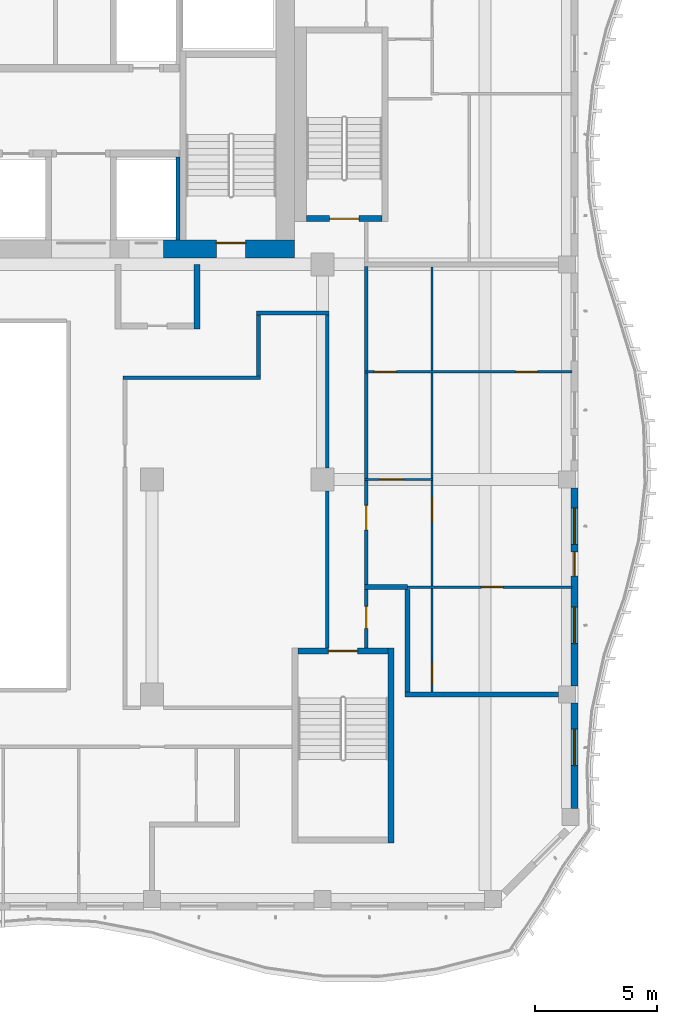
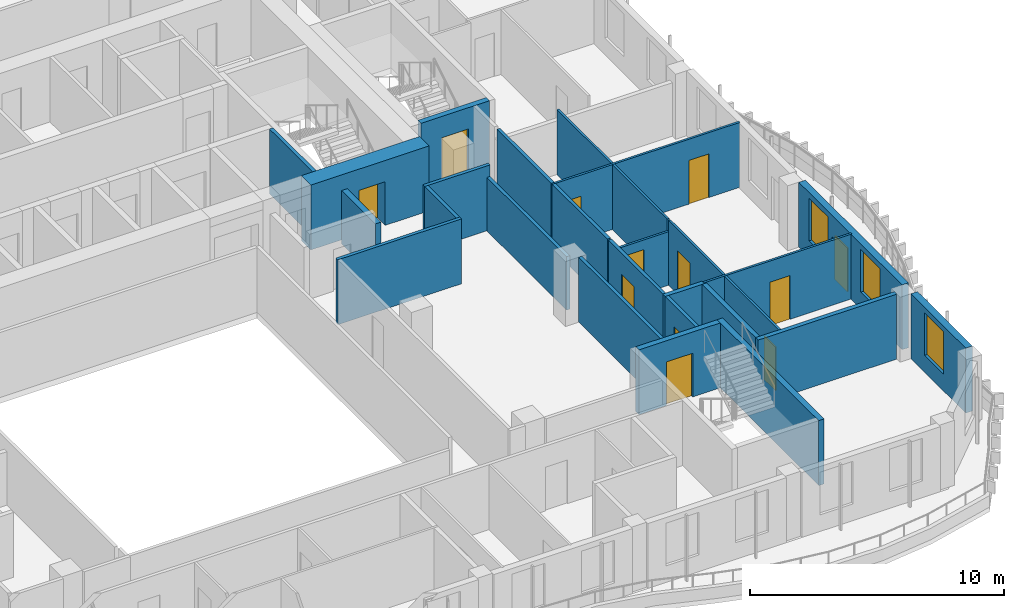
# One storey, part 5 of 19: 27 walls, 12 doors, 3 windows, 15 openings.
"""IFC4 building model written with IfcOpenShell, lengths in metres."""

from ifc_helpers import new_model, si_unit, direction, frame, frame_2d, origin, place, context, subcontext, project, spatial, rectangle, extrude, source, transform, mapped, material, layer, layer_set, type_object, element, fill, save


model = new_model("IFC4")

# Units and contexts
model_context = context("Model", 3, precision=1e-05, world=origin(), true_north=direction((0.0, 1.0)))
body_context = subcontext(model_context, "Body", "Model", "MODEL_VIEW")
ifc_project = project(units=[si_unit("LENGTHUNIT", "METRE"), si_unit("AREAUNIT", "SQUARE_METRE"), si_unit("VOLUMEUNIT", "CUBIC_METRE"), si_unit("PLANEANGLEUNIT", "RADIAN"), si_unit("MASSUNIT", "GRAM", prefix="KILO")], contexts=[model_context])

# Site, building, storey
site_placement = place(None, origin())
site = spatial("IfcSite", under=ifc_project, at=site_placement, CompositionType="ELEMENT")
building_placement = place(site_placement, origin())
building = spatial("IfcBuilding", under=site, at=building_placement, Name="Kilnfold Tower and Market Hall", CompositionType="ELEMENT")
storey_placement = place(building_placement, frame((0.0, 0.0, 242.39990234375)))
storey = spatial("IfcBuildingStorey", under=building, at=storey_placement, Name="L58", CompositionType="ELEMENT", Elevation=242.39990234375)

# Wall, opening, door
ifc_material_1 = material(Name="Gypsum board on steel studs", Category="steel")
ifc_layer_1 = layer(ifc_material_1, 0.14990234375)
ifc_layer_set_1 = layer_set([ifc_layer_1], Name="Gypsum board on steel studs")
wall_type_1 = type_object("IfcWallType", Name="WALL CORRIDOR 150", PredefinedType="PARTITIONING", material=ifc_layer_set_1)
wall_1_placement = place(storey_placement, frame((20.800048828125, -7.75, 0.0), z_axis=(0.0, 0.0, 1.0), x_axis=(0.0, 1.0, 0.0)))
wall_1 = element("IfcWall", 1, at=wall_1_placement, inside=storey, type_object=wall_type_1, Name="Partition LY35.12", PredefinedType="PARTITIONING", context=body_context, shape_type="SweptSolid", body=[
    extrude(rectangle(XDim=2.409912109375, YDim=0.14990234375, at=frame_2d((1.205078125, 0.0))), origin(), (0.0, 0.0, 1.0), 3.1201171875),
])
opening_1_placement = place(wall_1_placement, frame((0.804931640625, 0.0, 0.0)))
opening_1 = element("IfcOpeningElement", 2, at=opening_1_placement, cuts=wall_1, Name="Opening D2", PredefinedType="OPENING", context=body_context, shape_type="SweptSolid", body=[
    extrude(rectangle(XDim=0.89990234375, YDim=2.10009765625, at=frame_2d((0.449951171875, 1.050048828125))), frame((0.0, 0.0849609375, 0.0), z_axis=(0.0, -1.0, 0.0), x_axis=(1.0, 0.0, 0.0)), (0.0, 0.0, 1.0), 0.169921875),
])
ifc_material_2 = material(Name="Timber veneer door leaf in steel frame", Category="steel")
door_type_1 = type_object("IfcDoorType", Name="DOOR ROOM 900 X2100", OperationType="NOTDEFINED", PredefinedType="DOOR", material=ifc_material_2)
door_1_placement = place(opening_1_placement, origin())
door_1 = element("IfcDoor", 3, at=door_1_placement, inside=storey, type_object=door_type_1, Name="Door D2", OperationType="SINGLE_SWING_LEFT", OverallHeight=2.10009765625, OverallWidth=0.89990234375, PredefinedType="DOOR", context=body_context, shape_type="SweptSolid", body=[
    extrude(rectangle(XDim=0.89990234375, YDim=2.10009765625, at=frame_2d((0.449951171875, 1.050048828125))), frame((0.0, 0.02490234375, 0.0), z_axis=(0.0, -1.0, 0.0), x_axis=(1.0, 0.0, 0.0)), (0.0, 0.0, 1.0), 0.050048828125),
])
fill(opening_1, door_1)

wall_2_placement = place(storey_placement, frame((20.800048828125, -5.159912109375, 0.0), z_axis=(0.0, 0.0, 1.0), x_axis=(0.0, 1.0, 0.0)))
wall_2 = element("IfcWall", 4, at=wall_2_placement, inside=storey, type_object=wall_type_1, Name="Partition LY35.13", PredefinedType="PARTITIONING", context=body_context, shape_type="SweptSolid", body=[
    extrude(rectangle(XDim=4.286865234375, YDim=0.14990234375, at=frame_2d((2.1435546875, 0.0))), origin(), (0.0, 0.0, 1.0), 3.1201171875),
])
opening_2_placement = place(wall_2_placement, frame((2.261962890625, 0.0, 0.0)))
opening_2 = element("IfcOpeningElement", 5, at=opening_2_placement, cuts=wall_2, Name="Opening D1", PredefinedType="OPENING", context=body_context, shape_type="SweptSolid", body=[
    extrude(rectangle(XDim=1.0, YDim=2.10009765625, at=frame_2d((0.5, 1.050048828125))), frame((0.0, 0.0849609375, 0.0), z_axis=(0.0, -1.0, 0.0), x_axis=(1.0, 0.0, 0.0)), (0.0, 0.0, 1.0), 0.169921875),
])
ifc_material_3 = material(Name="Timber veneer door leaf in steel frame", Category="steel")
door_type_2 = type_object("IfcDoorType", Name="DOOR ENTRY 1000 X2100", OperationType="NOTDEFINED", PredefinedType="DOOR", material=ifc_material_3)
door_2_placement = place(opening_2_placement, origin())
door_2 = element("IfcDoor", 6, at=door_2_placement, inside=storey, type_object=door_type_2, Name="Door D1", OperationType="SINGLE_SWING_LEFT", OverallHeight=2.10009765625, OverallWidth=1.0, PredefinedType="DOOR", context=body_context, shape_type="SweptSolid", body=[
    extrude(rectangle(XDim=1.0, YDim=2.10009765625, at=frame_2d((0.5, 1.050048828125))), frame((0.0, 0.02490234375, 0.0), z_axis=(0.0, -1.0, 0.0), x_axis=(1.0, 0.0, 0.0)), (0.0, 0.0, 1.0), 0.050048828125),
])
fill(opening_2, door_2)

# Walls
wall_3_placement = place(storey_placement, frame((20.800048828125, -0.79296875, 0.0), z_axis=(0.0, 0.0, 1.0), x_axis=(0.0, 1.0, 0.0)))
element("IfcWall", 7, at=wall_3_placement, inside=storey, type_object=wall_type_1, Name="Partition LY35.14", PredefinedType="PARTITIONING", context=body_context, shape_type="SweptSolid", body=[
    extrude(rectangle(XDim=4.3359375, YDim=0.14990234375, at=frame_2d((2.16796875, 0.0))), origin(), (0.0, 0.0, 1.0), 3.1201171875),
])
wall_4_placement = place(storey_placement, frame((20.800048828125, 3.623046875, 0.0), z_axis=(0.0, 0.0, 1.0), x_axis=(0.0, 1.0, 0.0)))
element("IfcWall", 8, at=wall_4_placement, inside=storey, type_object=wall_type_1, Name="Partition LY35.15", PredefinedType="PARTITIONING", context=body_context, shape_type="SweptSolid", body=[
    extrude(rectangle(XDim=4.286865234375, YDim=0.14990234375, at=frame_2d((2.1435546875, 0.0))), origin(), (0.0, 0.0, 1.0), 3.1201171875),
])
wall_5_placement = place(storey_placement, frame((19.199951171875, -7.75, 0.0), z_axis=(0.0, 0.0, 1.0), x_axis=(0.0, 1.0, 0.0)))
element("IfcWall", 9, at=wall_5_placement, inside=storey, type_object=wall_type_1, Name="Partition LY35.40", PredefinedType="PARTITIONING", context=body_context, shape_type="SweptSolid", body=[
    extrude(rectangle(XDim=6.44189453125, YDim=0.14990234375, at=frame_2d((3.220947265625, 0.0))), origin(), (0.0, 0.0, 1.0), 3.1201171875),
])
wall_6_placement = place(storey_placement, frame((19.199951171875, -0.35791015625, 0.0), z_axis=(0.0, 0.0, 1.0), x_axis=(0.0, 1.0, 0.0)))
element("IfcWall", 10, at=wall_6_placement, inside=storey, type_object=wall_type_1, Name="Partition LY35.41", PredefinedType="PARTITIONING", context=body_context, shape_type="SweptSolid", body=[
    extrude(rectangle(XDim=6.282958984375, YDim=0.14990234375, at=frame_2d((3.1416015625, 0.0))), origin(), (0.0, 0.0, 1.0), 2.570068359375),
])
wall_7_placement = place(storey_placement, frame((16.304931640625, 6.0, 0.0), z_axis=(0.0, 0.0, 1.0), x_axis=(1.0, 0.0, 0.0)))
element("IfcWall", 11, at=wall_7_placement, inside=storey, type_object=wall_type_1, Name="Partition LY35.42", PredefinedType="PARTITIONING", context=body_context, shape_type="SweptSolid", body=[
    extrude(rectangle(XDim=2.969970703125, YDim=0.14990234375, at=frame_2d((1.48486328125, 0.0))), origin(), (0.0, 0.0, 1.0), 3.1201171875),
])
wall_8_placement = place(storey_placement, frame((16.3798828125, 3.425048828125, 0.0), z_axis=(0.0, 0.0, 1.0), x_axis=(0.0, 1.0, 0.0)))
element("IfcWall", 12, at=wall_8_placement, inside=storey, type_object=wall_type_1, Name="Partition LY35.43", PredefinedType="PARTITIONING", context=body_context, shape_type="SweptSolid", body=[
    extrude(rectangle(XDim=2.5, YDim=0.14990234375, at=frame_2d((1.25, 0.0))), origin(), (0.0, 0.0, 1.0), 3.1201171875),
])
wall_9_placement = place(storey_placement, frame((10.824951171875, 3.35009765625, 0.0), z_axis=(0.0, 0.0, 1.0), x_axis=(1.0, 0.0, 0.0)))
element("IfcWall", 13, at=wall_9_placement, inside=storey, type_object=wall_type_1, Name="Partition LY35.44", PredefinedType="PARTITIONING", context=body_context, shape_type="SweptSolid", body=[
    extrude(rectangle(XDim=5.630126953125, YDim=0.14990234375, at=frame_2d((2.81494140625, 0.0))), origin(), (0.0, 0.0, 1.0), 3.1201171875),
])

# Wall, opening, door
ifc_material_4 = material(Name="Gypsum board on steel studs", Category="steel")
ifc_layer_2 = layer(ifc_material_4, 0.10009765625)
ifc_layer_set_2 = layer_set([ifc_layer_2], Name="Gypsum board on steel studs")
wall_type_2 = type_object("IfcWallType", Name="WALL PARTITION 100", PredefinedType="PARTITIONING", material=ifc_layer_set_2)
wall_10_placement = place(storey_placement, frame((22.5, -5.25, 0.0), z_axis=(0.0, 0.0, 1.0), x_axis=(1.0, 0.0, 0.0)))
wall_10 = element("IfcWall", 14, at=wall_10_placement, inside=storey, type_object=wall_type_2, Name="Partition LY35.72", PredefinedType="PARTITIONING", context=body_context, shape_type="SweptSolid", body=[
    extrude(rectangle(XDim=6.75, YDim=0.10009765625, at=frame_2d((3.375, 0.0))), origin(), (0.0, 0.0, 1.0), 3.1201171875),
])
opening_3_placement = place(wall_10_placement, frame((3.02197265625, 0.0, 0.0)))
opening_3 = element("IfcOpeningElement", 15, at=opening_3_placement, cuts=wall_10, Name="Opening D2", PredefinedType="OPENING", context=body_context, shape_type="SweptSolid", body=[
    extrude(rectangle(XDim=0.89990234375, YDim=2.10009765625, at=frame_2d((0.449951171875, 1.050048828125))), frame((0.0, 0.06005859375, 0.0), z_axis=(0.0, -1.0, 0.0), x_axis=(1.0, 0.0, 0.0)), (0.0, 0.0, 1.0), 0.1201171875),
])
door_3_placement = place(opening_3_placement, origin())
door_3 = element("IfcDoor", 16, at=door_3_placement, inside=storey, type_object=door_type_1, Name="Door D2", OperationType="SINGLE_SWING_RIGHT", OverallHeight=2.10009765625, OverallWidth=0.89990234375, PredefinedType="DOOR", context=body_context, shape_type="SweptSolid", body=[
    extrude(rectangle(XDim=0.89990234375, YDim=2.10009765625, at=frame_2d((0.449951171875, 1.050048828125))), frame((0.0, 0.02490234375, 0.0), z_axis=(0.0, -1.0, 0.0), x_axis=(1.0, 0.0, 0.0)), (0.0, 0.0, 1.0), 0.050048828125),
])
fill(opening_3, door_3)

wall_11_placement = place(storey_placement, frame((23.5, -9.56689453125, 0.0), z_axis=(0.0, 0.0, 1.0), x_axis=(0.0, 1.0, 0.0)))
wall_11 = element("IfcWall", 17, at=wall_11_placement, inside=storey, type_object=wall_type_2, Name="Partition LY35.73", PredefinedType="PARTITIONING", context=body_context, shape_type="SweptSolid", body=[
    extrude(rectangle(XDim=4.266845703125, YDim=0.10009765625, at=frame_2d((2.13330078125, 0.0))), origin(), (0.0, 0.0, 1.0), 3.1201171875),
])
opening_4_placement = place(wall_11_placement, frame((0.302001953125, 0.0, 0.0)))
opening_4 = element("IfcOpeningElement", 18, at=opening_4_placement, cuts=wall_11, Name="Opening D2", PredefinedType="OPENING", context=body_context, shape_type="SweptSolid", body=[
    extrude(rectangle(XDim=0.89990234375, YDim=2.10009765625, at=frame_2d((0.449951171875, 1.050048828125))), frame((0.0, 0.06005859375, 0.0), z_axis=(0.0, -1.0, 0.0), x_axis=(1.0, 0.0, 0.0)), (0.0, 0.0, 1.0), 0.1201171875),
])
door_4_placement = place(opening_4_placement, origin())
door_4 = element("IfcDoor", 19, at=door_4_placement, inside=storey, type_object=door_type_1, Name="Door D2", OperationType="SINGLE_SWING_RIGHT", OverallHeight=2.10009765625, OverallWidth=0.89990234375, PredefinedType="DOOR", context=body_context, shape_type="SweptSolid", body=[
    extrude(rectangle(XDim=0.89990234375, YDim=2.10009765625, at=frame_2d((0.449951171875, 1.050048828125))), frame((0.0, 0.02490234375, 0.0), z_axis=(0.0, -1.0, 0.0), x_axis=(1.0, 0.0, 0.0)), (0.0, 0.0, 1.0), 0.050048828125),
])
fill(opening_4, door_4)

wall_12_placement = place(storey_placement, frame((23.550048828125, -0.8330078125, 0.0), z_axis=(0.0, 0.0, 1.0), x_axis=(-1.0, 0.0, 0.0)))
wall_12 = element("IfcWall", 20, at=wall_12_placement, inside=storey, type_object=wall_type_2, Name="Partition LY35.74", PredefinedType="PARTITIONING", context=body_context, shape_type="SweptSolid", body=[
    extrude(rectangle(XDim=2.822998046875, YDim=0.10009765625, at=frame_2d((1.41162109375, 0.0))), origin(), (0.0, 0.0, 1.0), 2.570068359375),
])
opening_5_placement = place(wall_12_placement, frame((1.216064453125, 0.0, 0.0)))
opening_5 = element("IfcOpeningElement", 21, at=opening_5_placement, cuts=wall_12, Name="Opening D1", PredefinedType="OPENING", context=body_context, shape_type="SweptSolid", body=[
    extrude(rectangle(XDim=1.0, YDim=2.10009765625, at=frame_2d((0.5, 1.050048828125))), frame((0.0, 0.06005859375, 0.0), z_axis=(0.0, -1.0, 0.0), x_axis=(1.0, 0.0, 0.0)), (0.0, 0.0, 1.0), 0.1201171875),
])
door_5_placement = place(opening_5_placement, origin())
door_5 = element("IfcDoor", 22, at=door_5_placement, inside=storey, type_object=door_type_2, Name="Door D1", OperationType="SINGLE_SWING_LEFT", OverallHeight=2.10009765625, OverallWidth=1.0, PredefinedType="DOOR", context=body_context, shape_type="SweptSolid", body=[
    extrude(rectangle(XDim=1.0, YDim=2.10009765625, at=frame_2d((0.5, 1.050048828125))), frame((0.0, 0.02490234375, 0.0), z_axis=(0.0, -1.0, 0.0), x_axis=(1.0, 0.0, 0.0)), (0.0, 0.0, 1.0), 0.050048828125),
])
fill(opening_5, door_5)

wall_13_placement = place(storey_placement, frame((23.5, -5.199951171875, 0.0), z_axis=(0.0, 0.0, 1.0), x_axis=(0.0, 1.0, 0.0)))
wall_13 = element("IfcWall", 23, at=wall_13_placement, inside=storey, type_object=wall_type_2, Name="Partition LY35.75", PredefinedType="PARTITIONING", context=body_context, shape_type="SweptSolid", body=[
    extrude(rectangle(XDim=4.31689453125, YDim=0.10009765625, at=frame_2d((2.158447265625, 0.0))), origin(), (0.0, 0.0, 1.0), 3.1201171875),
])
opening_6_placement = place(wall_13_placement, frame((2.614013671875, 0.0, 0.0)))
opening_6 = element("IfcOpeningElement", 24, at=opening_6_placement, cuts=wall_13, Name="Opening D1", PredefinedType="OPENING", context=body_context, shape_type="SweptSolid", body=[
    extrude(rectangle(XDim=1.0, YDim=2.10009765625, at=frame_2d((0.5, 1.050048828125))), frame((0.0, 0.06005859375, 0.0), z_axis=(0.0, -1.0, 0.0), x_axis=(1.0, 0.0, 0.0)), (0.0, 0.0, 1.0), 0.1201171875),
])
door_6_placement = place(opening_6_placement, origin())
door_6 = element("IfcDoor", 25, at=door_6_placement, inside=storey, type_object=door_type_2, Name="Door D1", OperationType="SINGLE_SWING_LEFT", OverallHeight=2.10009765625, OverallWidth=1.0, PredefinedType="DOOR", context=body_context, shape_type="SweptSolid", body=[
    extrude(rectangle(XDim=1.0, YDim=2.10009765625, at=frame_2d((0.5, 1.050048828125))), frame((0.0, 0.02490234375, 0.0), z_axis=(0.0, -1.0, 0.0), x_axis=(1.0, 0.0, 0.0)), (0.0, 0.0, 1.0), 0.050048828125),
])
fill(opening_6, door_6)

# Wall, openings, doors
wall_14_placement = place(storey_placement, frame((20.72705078125, 3.5830078125, 0.0), z_axis=(0.0, 0.0, 1.0), x_axis=(1.0, 0.0, 0.0)))
wall_14 = element("IfcWall", 26, at=wall_14_placement, inside=storey, type_object=wall_type_2, Name="Partition LY35.76", PredefinedType="PARTITIONING", context=body_context, shape_type="SweptSolid", body=[
    extrude(rectangle(XDim=8.52294921875, YDim=0.10009765625, at=frame_2d((4.261474609375, 0.0))), origin(), (0.0, 0.0, 1.0), 3.1201171875),
])
opening_7_placement = place(wall_14_placement, frame((0.409912109375, 0.0, 0.0)))
opening_7 = element("IfcOpeningElement", 27, at=opening_7_placement, cuts=wall_14, Name="Opening D2", PredefinedType="OPENING", context=body_context, shape_type="SweptSolid", body=[
    extrude(rectangle(XDim=0.89990234375, YDim=2.10009765625, at=frame_2d((0.449951171875, 1.050048828125))), frame((0.0, 0.06005859375, 0.0), z_axis=(0.0, -1.0, 0.0), x_axis=(1.0, 0.0, 0.0)), (0.0, 0.0, 1.0), 0.1201171875),
])
opening_8_placement = place(wall_14_placement, frame((6.2099609375, 0.0, 0.0)))
opening_8 = element("IfcOpeningElement", 28, at=opening_8_placement, cuts=wall_14, Name="Opening D2", PredefinedType="OPENING", context=body_context, shape_type="SweptSolid", body=[
    extrude(rectangle(XDim=0.89990234375, YDim=2.10009765625, at=frame_2d((0.449951171875, 1.050048828125))), frame((0.0, 0.06005859375, 0.0), z_axis=(0.0, -1.0, 0.0), x_axis=(1.0, 0.0, 0.0)), (0.0, 0.0, 1.0), 0.1201171875),
])
door_7_placement = place(opening_7_placement, origin())
door_7 = element("IfcDoor", 29, at=door_7_placement, inside=storey, type_object=door_type_1, Name="Door D2", OperationType="SINGLE_SWING_LEFT", OverallHeight=2.10009765625, OverallWidth=0.89990234375, PredefinedType="DOOR", context=body_context, shape_type="SweptSolid", body=[
    extrude(rectangle(XDim=0.89990234375, YDim=2.10009765625, at=frame_2d((0.449951171875, 1.050048828125))), frame((0.0, 0.02490234375, 0.0), z_axis=(0.0, -1.0, 0.0), x_axis=(1.0, 0.0, 0.0)), (0.0, 0.0, 1.0), 0.050048828125),
])
fill(opening_7, door_7)
door_8_placement = place(opening_8_placement, origin())
door_8 = element("IfcDoor", 30, at=door_8_placement, inside=storey, type_object=door_type_1, Name="Door D2", OperationType="SINGLE_SWING_LEFT", OverallHeight=2.10009765625, OverallWidth=0.89990234375, PredefinedType="DOOR", context=body_context, shape_type="SweptSolid", body=[
    extrude(rectangle(XDim=0.89990234375, YDim=2.10009765625, at=frame_2d((0.449951171875, 1.050048828125))), frame((0.0, 0.02490234375, 0.0), z_axis=(0.0, -1.0, 0.0), x_axis=(1.0, 0.0, 0.0)), (0.0, 0.0, 1.0), 0.050048828125),
])
fill(opening_8, door_8)

# Walls
wall_15_placement = place(storey_placement, frame((23.5, -0.782958984375, 0.0), z_axis=(0.0, 0.0, 1.0), x_axis=(0.0, 1.0, 0.0)))
element("IfcWall", 31, at=wall_15_placement, inside=storey, type_object=wall_type_2, Name="Partition LY35.77", PredefinedType="PARTITIONING", context=body_context, shape_type="SweptSolid", body=[
    extrude(rectangle(XDim=4.31591796875, YDim=0.10009765625, at=frame_2d((2.157958984375, 0.0))), origin(), (0.0, 0.0, 1.0), 3.1201171875),
])
wall_16_placement = place(storey_placement, frame((23.5, 3.633056640625, 0.0), z_axis=(0.0, 0.0, 1.0), x_axis=(0.0, 1.0, 0.0)))
element("IfcWall", 32, at=wall_16_placement, inside=storey, type_object=wall_type_2, Name="Partition LY35.78", PredefinedType="PARTITIONING", context=body_context, shape_type="SweptSolid", body=[
    extrude(rectangle(XDim=4.266845703125, YDim=0.10009765625, at=frame_2d((2.13330078125, 0.0))), origin(), (0.0, 0.0, 1.0), 3.1201171875),
])
ifc_material_5 = material(Name="Gypsum board on steel studs", Category="steel")
ifc_layer_3 = layer(ifc_material_5, 0.199951171875)
ifc_layer_set_3 = layer_set([ifc_layer_3], Name="Gypsum board on steel studs")
wall_type_3 = type_object("IfcWallType", Name="WALL PARTY 200", PredefinedType="PARTITIONING", material=ifc_layer_set_3)
wall_17_placement = place(storey_placement, frame((22.5, -9.56689453125, 0.0), z_axis=(0.0, 0.0, 1.0), x_axis=(0.0, 1.0, 0.0)))
element("IfcWall", 33, at=wall_17_placement, inside=storey, type_object=wall_type_3, Name="Partition LY35.69", PredefinedType="PARTITIONING", context=body_context, shape_type="SweptSolid", body=[
    extrude(rectangle(XDim=4.216796875, YDim=0.199951171875, at=frame_2d((2.1083984375, 0.0))), origin(), (0.0, 0.0, 1.0), 3.1201171875),
])
wall_18_placement = place(storey_placement, frame((22.39990234375, -9.6669921875, 0.0), z_axis=(0.0, 0.0, 1.0), x_axis=(1.0, 0.0, 0.0)))
element("IfcWall", 34, at=wall_18_placement, inside=storey, type_object=wall_type_3, Name="Partition LY35.70", PredefinedType="PARTITIONING", context=body_context, shape_type="SweptSolid", body=[
    extrude(rectangle(XDim=6.300048828125, YDim=0.199951171875, at=frame_2d((3.14990234375, 0.0))), origin(), (0.0, 0.0, 1.0), 3.1201171875),
])
wall_19_placement = place(storey_placement, frame((20.72705078125, -5.25, 0.0), z_axis=(0.0, 0.0, 1.0), x_axis=(1.0, 0.0, 0.0)))
element("IfcWall", 35, at=wall_19_placement, inside=storey, type_object=wall_type_3, Name="Partition LY35.71", PredefinedType="PARTITIONING", context=body_context, shape_type="SweptSolid", body=[
    extrude(rectangle(XDim=1.77294921875, YDim=0.199951171875, at=frame_2d((0.886474609375, 0.0))), origin(), (0.0, 0.0, 1.0), 3.1201171875),
])

# Wall, opening, door
ifc_material_6 = material(Name="Concrete C60", Category="concrete")
ifc_layer_4 = layer(ifc_material_6, 0.25)
ifc_layer_set_4 = layer_set([ifc_layer_4], Name="Concrete C60")
wall_type_4 = type_object("IfcWallType", Name="CORE WALL 250 C60", PredefinedType="SHEAR", material=ifc_layer_set_4)
shared_shape_1 = source(origin(), body_context, "Body", "SweptSolid", [
    extrude(rectangle(XDim=3.699951171875, YDim=0.25, at=frame_2d((1.85009765625, 0.0))), origin(), (0.0, 0.0, 1.0), 3.1201171875),
])
wall_20_placement = place(storey_placement, frame((18.0, -7.875, 0.0), z_axis=(0.0, 0.0, 1.0), x_axis=(1.0, 0.0, 0.0)))
wall_20 = element("IfcWall", 36, at=wall_20_placement, inside=storey, type_object=wall_type_4, Name="Stair enclosure ST4", PredefinedType="SHEAR", context=body_context, shape_type="MappedRepresentation", body=[
    mapped(shared_shape_1, transform((0.0, 0.0, 0.0))),
])
opening_9_placement = place(wall_20_placement, frame((1.25, 0.0, 0.0)))
opening_9 = element("IfcOpeningElement", 37, at=opening_9_placement, cuts=wall_20, Name="Opening SD1", PredefinedType="OPENING", context=body_context, shape_type="SweptSolid", body=[
    extrude(rectangle(XDim=1.199951171875, YDim=2.10009765625, at=frame_2d((0.60009765625, 1.050048828125))), frame((0.0, 0.135009765625, 0.0), z_axis=(0.0, -1.0, 0.0), x_axis=(1.0, 0.0, 0.0)), (0.0, 0.0, 1.0), 0.27001953125),
])
ifc_material_7 = material(Name="Steel door set with fire-resisting leaf", Category="steel")
door_type_3 = type_object("IfcDoorType", Name="STAIR FLOOR DOOR 1200X2100", OperationType="NOTDEFINED", PredefinedType="DOOR", material=ifc_material_7)
door_9_placement = place(opening_9_placement, origin())
door_9 = element("IfcDoor", 38, at=door_9_placement, inside=storey, type_object=door_type_3, Name="Exit stair ST4 door", OperationType="DOUBLE_DOOR_SINGLE_SWING", OverallHeight=2.10009765625, OverallWidth=1.199951171875, PredefinedType="DOOR", context=body_context, shape_type="SweptSolid", body=[
    extrude(rectangle(XDim=1.199951171875, YDim=2.10009765625, at=frame_2d((0.60009765625, 1.050048828125))), frame((0.0, 0.02490234375, 0.0), z_axis=(0.0, -1.0, 0.0), x_axis=(1.0, 0.0, 0.0)), (0.0, 0.0, 1.0), 0.050048828125),
])
fill(opening_9, door_9)

# Wall
shared_shape_2 = source(origin(), body_context, "Body", "SweptSolid", [
    extrude(rectangle(XDim=8.0, YDim=0.25, at=frame_2d((4.0, 0.0))), origin(), (0.0, 0.0, 1.0), 3.1201171875),
])
wall_21_placement = place(storey_placement, frame((21.824951171875, -15.75, 0.0), z_axis=(0.0, 0.0, 1.0), x_axis=(0.0, 1.0, 0.0)))
element("IfcWall", 39, at=wall_21_placement, inside=storey, type_object=wall_type_4, Name="Stair enclosure ST4", PredefinedType="SHEAR", context=body_context, shape_type="MappedRepresentation", body=[
    mapped(shared_shape_2, transform((0.0, 0.0, 0.0))),
])

# Wall, opening, door
shared_shape_3 = source(origin(), body_context, "Body", "SweptSolid", [
    extrude(rectangle(XDim=3.099853515625, YDim=0.25, at=frame_2d((1.5498046875, 0.0))), origin(), (0.0, 0.0, 1.0), 3.1201171875),
])
wall_22_placement = place(storey_placement, frame((18.35009765625, 9.875, 0.0), z_axis=(0.0, 0.0, 1.0), x_axis=(1.0, 0.0, 0.0)))
wall_22 = element("IfcWall", 40, at=wall_22_placement, inside=storey, type_object=wall_type_4, Name="Stair enclosure ST5", PredefinedType="SHEAR", context=body_context, shape_type="MappedRepresentation", body=[
    mapped(shared_shape_3, transform((0.0, 0.0, 0.0))),
])
opening_10_placement = place(wall_22_placement, frame((0.949951171875, 0.0, 0.0)))
opening_10 = element("IfcOpeningElement", 41, at=opening_10_placement, cuts=wall_22, Name="Opening SD1", PredefinedType="OPENING", context=body_context, shape_type="SweptSolid", body=[
    extrude(rectangle(XDim=1.199951171875, YDim=2.10009765625, at=frame_2d((0.60009765625, 1.050048828125))), frame((0.0, 0.135009765625, 0.0), z_axis=(0.0, -1.0, 0.0), x_axis=(1.0, 0.0, 0.0)), (0.0, 0.0, 1.0), 0.27001953125),
])
door_10_placement = place(opening_10_placement, origin())
door_10 = element("IfcDoor", 42, at=door_10_placement, inside=storey, type_object=door_type_3, Name="Exit stair ST5 door", OperationType="DOUBLE_DOOR_SINGLE_SWING", OverallHeight=2.10009765625, OverallWidth=1.199951171875, PredefinedType="DOOR", context=body_context, shape_type="SweptSolid", body=[
    extrude(rectangle(XDim=1.199951171875, YDim=2.10009765625, at=frame_2d((0.60009765625, 1.050048828125))), frame((0.0, 0.02490234375, 0.0), z_axis=(0.0, -1.0, 0.0), x_axis=(1.0, 0.0, 0.0)), (0.0, 0.0, 1.0), 0.050048828125),
])
fill(opening_10, door_10)

ifc_material_8 = material(Name="Concrete C60", Category="concrete")
ifc_layer_5 = layer(ifc_material_8, 0.75)
ifc_layer_set_5 = layer_set([ifc_layer_5], Name="Concrete C60")
wall_type_5 = type_object("IfcWallType", Name="CORE WALL 750 C60", PredefinedType="SHEAR", material=ifc_layer_set_5)
shared_shape_4 = source(origin(), body_context, "Body", "SweptSolid", [
    extrude(rectangle(XDim=5.380126953125, YDim=0.75, at=frame_2d((2.68994140625, 0.0))), origin(), (0.0, 0.0, 1.0), 3.1201171875),
])
wall_23_placement = place(storey_placement, frame((12.469970703125, 8.625, 0.0), z_axis=(0.0, 0.0, 1.0), x_axis=(1.0, 0.0, 0.0)))
wall_23 = element("IfcWall", 43, at=wall_23_placement, inside=storey, type_object=wall_type_5, Name="Core outer wall south", PredefinedType="SHEAR", context=body_context, shape_type="MappedRepresentation", body=[
    mapped(shared_shape_4, transform((0.0, 0.0, 0.0))),
])
opening_11_placement = place(wall_23_placement, frame((2.179931640625, 0.0, 0.0)))
opening_11 = element("IfcOpeningElement", 44, at=opening_11_placement, cuts=wall_23, Name="Opening SD1", PredefinedType="OPENING", context=body_context, shape_type="SweptSolid", body=[
    extrude(rectangle(XDim=1.199951171875, YDim=2.10009765625, at=frame_2d((0.60009765625, 1.050048828125))), frame((0.0, 0.385009765625, 0.0), z_axis=(0.0, -1.0, 0.0), x_axis=(1.0, 0.0, 0.0)), (0.0, 0.0, 1.0), 0.77001953125),
])
door_11_placement = place(opening_11_placement, origin())
door_11 = element("IfcDoor", 45, at=door_11_placement, inside=storey, type_object=door_type_3, Name="Exit stair ST2 door", OperationType="DOUBLE_DOOR_SINGLE_SWING", OverallHeight=2.10009765625, OverallWidth=1.199951171875, PredefinedType="DOOR", context=body_context, shape_type="SweptSolid", body=[
    extrude(rectangle(XDim=1.199951171875, YDim=2.10009765625, at=frame_2d((0.60009765625, 1.050048828125))), frame((0.0, 0.27978515625, 0.0), z_axis=(0.0, -1.0, 0.0), x_axis=(1.0, 0.0, 0.0)), (0.0, 0.0, 1.0), 0.050048828125),
])
fill(opening_11, door_11)

# Wall, opening, window
ifc_material_9 = material(Name="Precast concrete C50/60", Category="concrete")
ifc_layer_6 = layer(ifc_material_9, 0.300048828125)
ifc_layer_set_6 = layer_set([ifc_layer_6], Name="Precast concrete C50/60")
wall_type_6 = type_object("IfcWallType", Name="PRECAST WALL 300", PredefinedType="SOLIDWALL", material=ifc_layer_set_6)
shared_shape_5 = source(origin(), body_context, "Body", "SweptSolid", [
    extrude(rectangle(XDim=4.315185546875, YDim=0.300048828125, at=frame_2d((2.15771484375, 0.0))), origin(), (0.0, 0.0, 1.0), 3.1201171875),
])
wall_24_placement = place(storey_placement, frame((29.35009765625, -14.331787109375, 0.0), z_axis=(0.0, 0.0, 1.0), x_axis=(0.0, 1.0, 0.0)))
wall_24 = element("IfcWall", 46, at=wall_24_placement, inside=storey, type_object=wall_type_6, Name="External wall L58 E", PredefinedType="SOLIDWALL", context=body_context, shape_type="MappedRepresentation", body=[
    mapped(shared_shape_5, transform((0.0, 0.0, 0.0))),
])
opening_12_placement = place(wall_24_placement, frame((1.75, 0.0, 0.800048828125)))
opening_12 = element("IfcOpeningElement", 47, at=opening_12_placement, cuts=wall_24, Name="Opening W5", PredefinedType="OPENING", context=body_context, shape_type="SweptSolid", body=[
    extrude(rectangle(XDim=1.5, YDim=2.050048828125, at=frame_2d((0.75, 1.02490234375))), frame((0.0, 0.16015625, 0.0), z_axis=(0.0, -1.0, 0.0), x_axis=(1.0, 0.0, 0.0)), (0.0, 0.0, 1.0), 0.320068359375),
])
ifc_material_10 = material(Name="Aluminium frame and double glazing", Category="aluminium")
window_type = type_object("IfcWindowType", Name="WINDOW W5 1500X2050", PartitioningType="SINGLE_PANEL", PredefinedType="WINDOW", material=ifc_material_10)
window_1_placement = place(opening_12_placement, origin())
window_1 = element("IfcWindow", 48, at=window_1_placement, inside=storey, type_object=window_type, Name="Window W5 L58 E-1", OverallHeight=2.050048828125, OverallWidth=1.5, PartitioningType="SINGLE_PANEL", PredefinedType="WINDOW", context=body_context, shape_type="SweptSolid", body=[
    extrude(rectangle(XDim=1.5, YDim=2.050048828125, at=frame_2d((0.75, 1.02490234375))), frame((0.0, 0.030029296875, 0.0), z_axis=(0.0, -1.0, 0.0), x_axis=(1.0, 0.0, 0.0)), (0.0, 0.0, 1.0), 0.06005859375),
])
fill(opening_12, window_1)

# Wall, openings, door, windows
shared_shape_6 = source(origin(), body_context, "Body", "SweptSolid", [
    extrude(rectangle(XDim=8.13330078125, YDim=0.300048828125, at=frame_2d((4.066650390625, 0.0))), origin(), (0.0, 0.0, 1.0), 3.1201171875),
])
wall_25_placement = place(storey_placement, frame((29.35009765625, -9.316650390625, 0.0), z_axis=(0.0, 0.0, 1.0), x_axis=(0.0, 1.0, 0.0)))
wall_25 = element("IfcWall", 49, at=wall_25_placement, inside=storey, type_object=wall_type_6, Name="External wall L58 E", PredefinedType="SOLIDWALL", context=body_context, shape_type="MappedRepresentation", body=[
    mapped(shared_shape_6, transform((0.0, 0.0, 0.0))),
])
opening_13_placement = place(wall_25_placement, frame((1.75, 0.0, 0.800048828125)))
opening_13 = element("IfcOpeningElement", 50, at=opening_13_placement, cuts=wall_25, Name="Opening W5", PredefinedType="OPENING", context=body_context, shape_type="SweptSolid", body=[
    extrude(rectangle(XDim=1.5, YDim=2.050048828125, at=frame_2d((0.75, 1.02490234375))), frame((0.0, 0.16015625, 0.0), z_axis=(0.0, -1.0, 0.0), x_axis=(1.0, 0.0, 0.0)), (0.0, 0.0, 1.0), 0.320068359375),
])
opening_14_placement = place(wall_25_placement, frame((5.816650390625, 0.0, 0.800048828125)))
opening_14 = element("IfcOpeningElement", 51, at=opening_14_placement, cuts=wall_25, Name="Opening W5", PredefinedType="OPENING", context=body_context, shape_type="SweptSolid", body=[
    extrude(rectangle(XDim=1.5, YDim=2.050048828125, at=frame_2d((0.75, 1.02490234375))), frame((0.0, 0.16015625, 0.0), z_axis=(0.0, -1.0, 0.0), x_axis=(1.0, 0.0, 0.0)), (0.0, 0.0, 1.0), 0.320068359375),
])
opening_15_placement = place(wall_25_placement, frame((4.5166015625, 0.0, 0.0)))
opening_15 = element("IfcOpeningElement", 52, at=opening_15_placement, cuts=wall_25, Name="Opening BD1", PredefinedType="OPENING", context=body_context, shape_type="SweptSolid", body=[
    extrude(rectangle(XDim=1.0, YDim=2.10009765625, at=frame_2d((0.5, 1.050048828125))), frame((0.0, 0.16015625, 0.0), z_axis=(0.0, -1.0, 0.0), x_axis=(1.0, 0.0, 0.0)), (0.0, 0.0, 1.0), 0.320068359375),
])
ifc_material_11 = material(Name="Aluminium frame and double glazing", Category="aluminium")
door_type_4 = type_object("IfcDoorType", Name="BALCONY DOOR 1000X2100", OperationType="NOTDEFINED", PredefinedType="DOOR", material=ifc_material_11)
door_12_placement = place(opening_15_placement, origin())
door_12 = element("IfcDoor", 53, at=door_12_placement, inside=storey, type_object=door_type_4, Name="Balcony door BD1 L58 E-2", OperationType="SINGLE_SWING_RIGHT", OverallHeight=2.10009765625, OverallWidth=1.0, PredefinedType="DOOR", context=body_context, shape_type="SweptSolid", body=[
    extrude(rectangle(XDim=1.0, YDim=2.10009765625, at=frame_2d((0.5, 1.050048828125))), frame((0.0, 0.02490234375, 0.0), z_axis=(0.0, -1.0, 0.0), x_axis=(1.0, 0.0, 0.0)), (0.0, 0.0, 1.0), 0.050048828125),
])
fill(opening_15, door_12)
window_2_placement = place(opening_13_placement, origin())
window_2 = element("IfcWindow", 54, at=window_2_placement, inside=storey, type_object=window_type, Name="Window W5 L58 E-1", OverallHeight=2.050048828125, OverallWidth=1.5, PartitioningType="SINGLE_PANEL", PredefinedType="WINDOW", context=body_context, shape_type="SweptSolid", body=[
    extrude(rectangle(XDim=1.5, YDim=2.050048828125, at=frame_2d((0.75, 1.02490234375))), frame((0.0, 0.030029296875, 0.0), z_axis=(0.0, -1.0, 0.0), x_axis=(1.0, 0.0, 0.0)), (0.0, 0.0, 1.0), 0.06005859375),
])
fill(opening_13, window_2)
window_3_placement = place(opening_14_placement, origin())
window_3 = element("IfcWindow", 55, at=window_3_placement, inside=storey, type_object=window_type, Name="Window W5 L58 E-2", OverallHeight=2.050048828125, OverallWidth=1.5, PartitioningType="SINGLE_PANEL", PredefinedType="WINDOW", context=body_context, shape_type="SweptSolid", body=[
    extrude(rectangle(XDim=1.5, YDim=2.050048828125, at=frame_2d((0.75, 1.02490234375))), frame((0.0, 0.030029296875, 0.0), z_axis=(0.0, -1.0, 0.0), x_axis=(1.0, 0.0, 0.0)), (0.0, 0.0, 1.0), 0.06005859375),
])
fill(opening_14, window_3)

# Walls
ifc_material_12 = material(Name="Gypsum shaft wall system")
ifc_layer_7 = layer(ifc_material_12, 0.1650390625)
ifc_layer_set_7 = layer_set([ifc_layer_7], Name="Gypsum shaft wall system")
wall_type_7 = type_object("IfcWallType", Name="SHAFT WALL 165", PredefinedType="PARTITIONING", material=ifc_layer_set_7)
shared_shape_7 = source(origin(), body_context, "Body", "SweptSolid", [
    extrude(rectangle(XDim=3.39990234375, YDim=0.1650390625, at=frame_2d((1.699951171875, 0.0))), origin(), (0.0, 0.0, 1.0), 3.1201171875),
])
wall_26_placement = place(storey_placement, frame((13.0673828125, 9.0, 0.0), z_axis=(0.0, 0.0, 1.0), x_axis=(0.0, 1.0, 0.0)))
element("IfcWall", 56, at=wall_26_placement, inside=storey, type_object=wall_type_7, Name="Lift shaft wall", PredefinedType="PARTITIONING", context=body_context, shape_type="MappedRepresentation", body=[
    mapped(shared_shape_7, transform((0.0, 0.0, 0.0))),
])
ifc_material_13 = material(Name="Gypsum shaft wall system")
ifc_layer_8 = layer(ifc_material_13, 0.25)
ifc_layer_set_8 = layer_set([ifc_layer_8], Name="Gypsum shaft wall system")
wall_type_8 = type_object("IfcWallType", Name="LOBBY WALL 250", PredefinedType="PARTITIONING", material=ifc_layer_set_8)
shared_shape_8 = source(origin(), body_context, "Body", "SweptSolid", [
    extrude(rectangle(XDim=2.64990234375, YDim=0.25, at=frame_2d((1.324951171875, 0.0))), origin(), (0.0, 0.0, 1.0), 2.570068359375),
])
wall_27_placement = place(storey_placement, frame((13.85498046875, 5.35009765625, 0.0), z_axis=(0.0, 0.0, 1.0), x_axis=(0.0, 1.0, 0.0)))
element("IfcWall", 57, at=wall_27_placement, inside=storey, type_object=wall_type_8, Name="Firefighting lobby wall", PredefinedType="PARTITIONING", context=body_context, shape_type="MappedRepresentation", body=[
    mapped(shared_shape_8, transform((0.0, 0.0, 0.0))),
])

save(model, "model.ifc")
